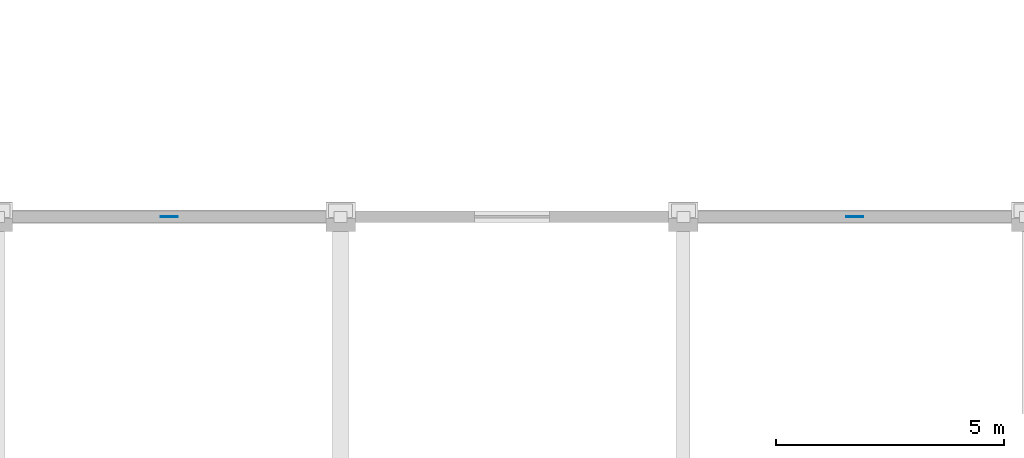
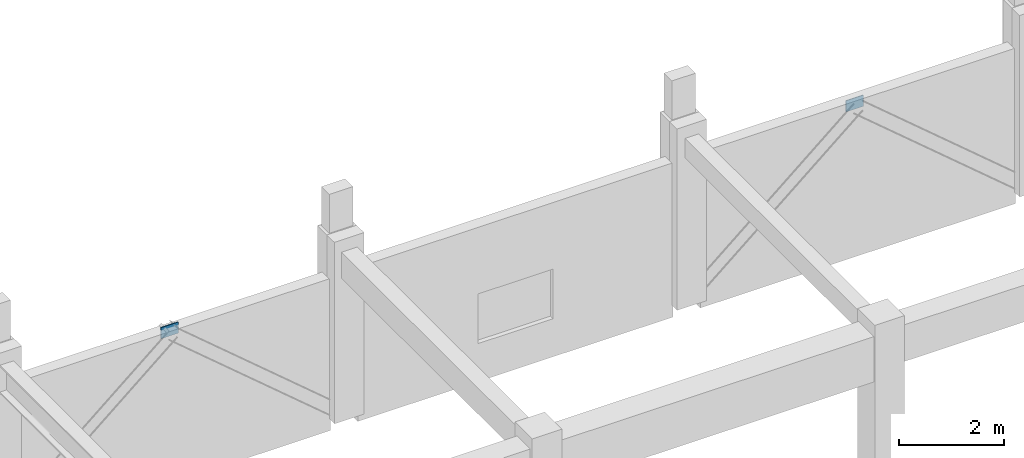
# One storey, part 33 of 51: 2 plates.
"""IFC4 building model written with IfcOpenShell, lengths in metres."""

from ifc_helpers import new_model, si_unit, direction, frame, origin, origin_2d, place, context, subcontext, project, spatial, rectangle, extrude, material, layer, layer_set, type_object, element, save


model = new_model("IFC4")

# Units and contexts
model_context = context("Model", 3, precision=1e-05, world=origin(), true_north=direction((0.0, 1.0)))
body_context = subcontext(model_context, "Body", "Model", "MODEL_VIEW")
ifc_project = project(units=[si_unit("LENGTHUNIT", "METRE"), si_unit("AREAUNIT", "SQUARE_METRE"), si_unit("VOLUMEUNIT", "CUBIC_METRE"), si_unit("PLANEANGLEUNIT", "RADIAN"), si_unit("MASSUNIT", "GRAM", prefix="KILO")], contexts=[model_context])

# Site, building, storey
site_placement = place(None, origin())
site = spatial("IfcSite", under=ifc_project, at=site_placement, CompositionType="ELEMENT")
building_placement = place(site_placement, origin())
building = spatial("IfcBuilding", under=site, at=building_placement, Name="Qasida Concert Hall", CompositionType="ELEMENT")
storey_placement = place(building_placement, frame((0.0, 0.0, 21.0)))
storey = spatial("IfcBuildingStorey", under=building, at=storey_placement, Name="L05", CompositionType="ELEMENT", Elevation=21.0)

# Plates
ifc_material = material(Name="Steel S355J2", Category="steel")
ifc_layer = layer(ifc_material, 0.01611328125, Name="Steel S355J2")
ifc_layer_set = layer_set([ifc_layer], Name="Steel S355J2")
plate_type = type_object("IfcPlateType", Name="PLT-PL-EC3", PredefinedType="SHEET", material=ifc_layer_set)
for number, where, z_axis, x_axis, name in (
    (1, (71.25, 82.5, 3.0400390625), (0.0, 0.0, 1.0), (1.0, 0.0, 0.0), "Chevron apex plate CBF-0088"),
    (2, (86.25, 82.5, 3.0400390625), (0.0, 0.0, 1.0), (1.0, 0.0, 0.0), "Chevron apex plate CBF-0094"),
):
    element("IfcPlate", number, at=place(storey_placement, frame(where, z_axis=z_axis, x_axis=x_axis)), inside=storey, type_object=plate_type, Name=name, PredefinedType="SHEET", context=body_context, shape_type="SweptSolid", body=[
        extrude(rectangle(XDim=0.3798828125, YDim=0.01611328125, at=origin_2d()), origin(), (0.0, 0.0, 1.0), 0.260009765625),
    ])

save(model, "model.ifc")
